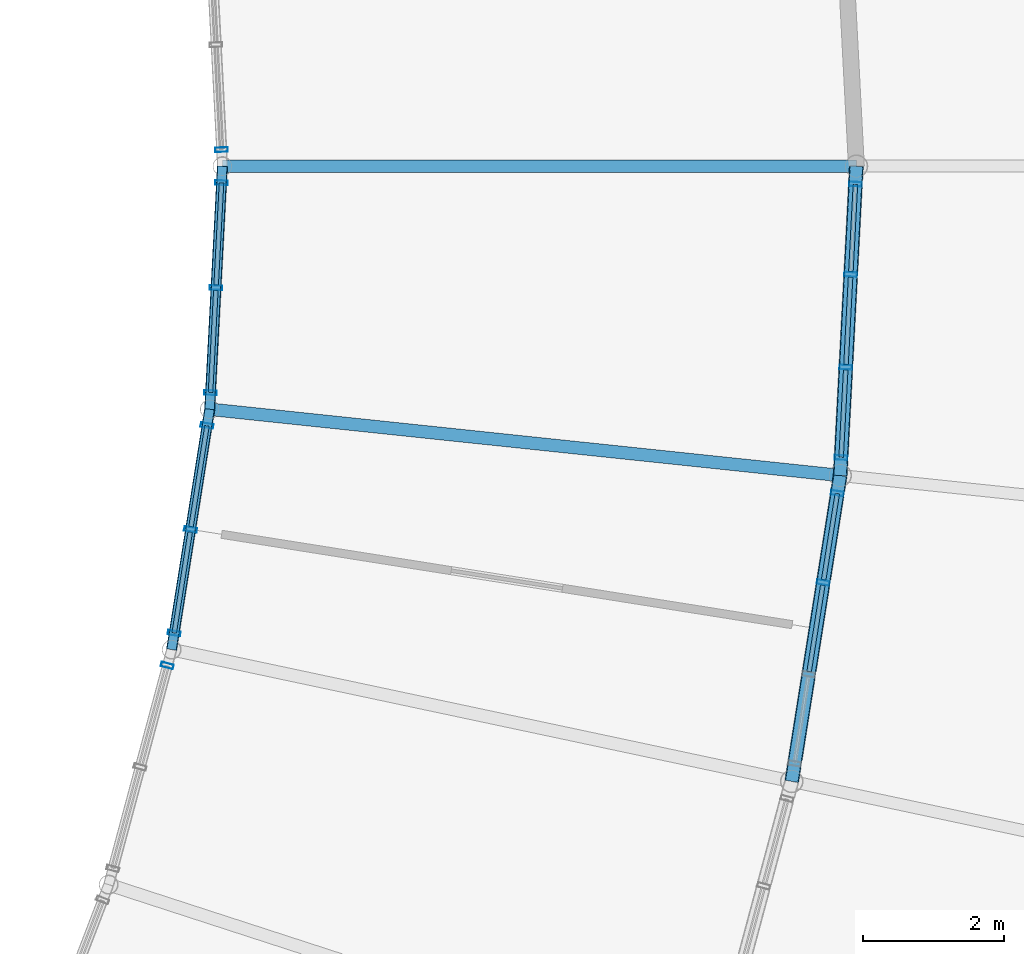
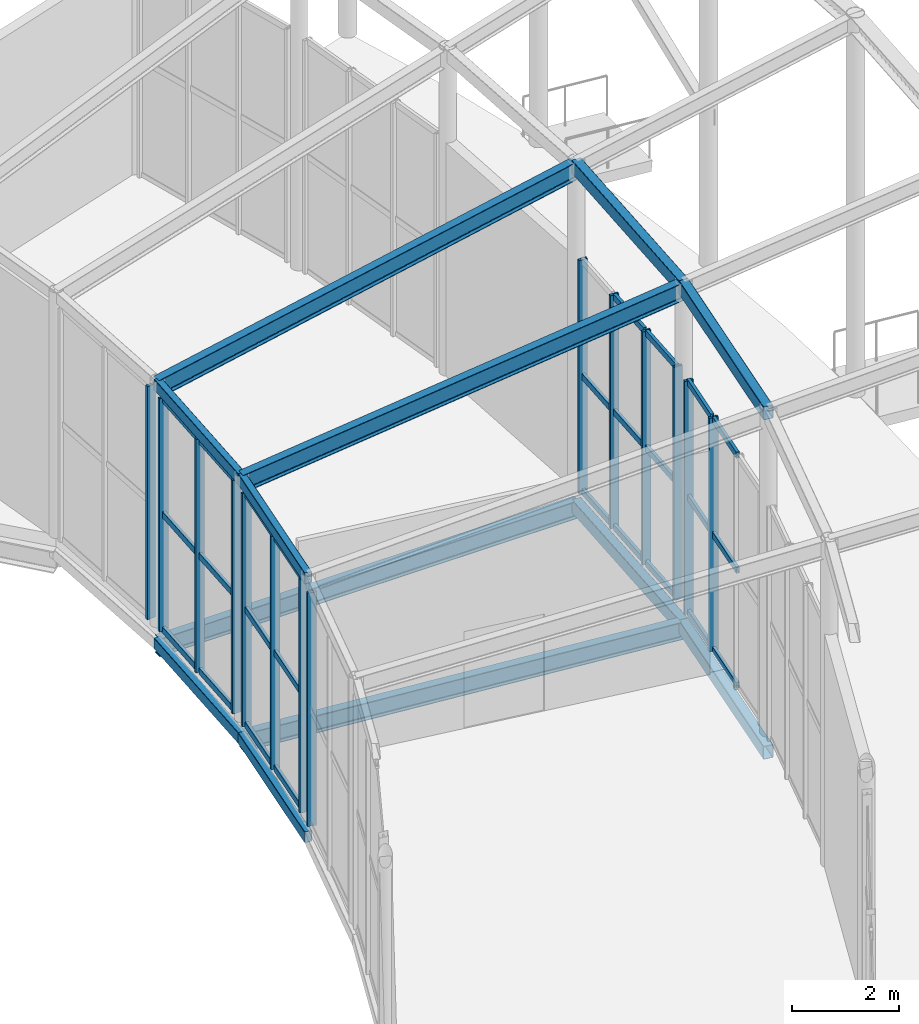
# One storey, part 92 of 158: 40 members, 12 beams, 6 elements without a shape of their own.
"""IFC4 building model written with IfcOpenShell, lengths in metres."""

from ifc_helpers import new_model, si_unit, derived_unit, direction, frame, origin, origin_2d, place, context, subcontext, project, spatial, hollow_rectangle, i_section, extrude, material, material_profile, profile_set, type_object, element, aggregate, save


model = new_model("IFC4")

# Units and contexts
model_context = context("Model", 3, precision=1e-05, world=origin(), true_north=direction((0.0, 1.0)))
body_context = subcontext(model_context, "Body", "Model", "MODEL_VIEW")
ifc_project = project(units=[si_unit("LENGTHUNIT", "METRE"), si_unit("AREAUNIT", "SQUARE_METRE"), si_unit("VOLUMEUNIT", "CUBIC_METRE"), si_unit("PLANEANGLEUNIT", "RADIAN"), si_unit("MASSUNIT", "GRAM", prefix="KILO"), si_unit("THERMODYNAMICTEMPERATUREUNIT", "KELVIN"), si_unit("TIMEUNIT", "SECOND"), derived_unit("THERMALTRANSMITTANCEUNIT", [(si_unit("MASSUNIT", "GRAM", prefix="KILO"), 1), (si_unit("THERMODYNAMICTEMPERATUREUNIT", "KELVIN"), -1), (si_unit("TIMEUNIT", "SECOND"), -3)])], contexts=[model_context])

# Site, building, storey
site_placement = place(None, origin())
site = spatial("IfcSite", under=ifc_project, at=site_placement, CompositionType="ELEMENT")
building_placement = place(site_placement, origin())
building = spatial("IfcBuilding", under=site, at=building_placement, Name="Cambertide Market Hall", CompositionType="ELEMENT")
storey_placement = place(building_placement, origin())
storey = spatial("IfcBuildingStorey", under=building, at=storey_placement, Name="L01", CompositionType="ELEMENT", Elevation=0.0)

# Curtain wall, member
ifc_material_1 = material(Name="Marine Anodized Aluminium 6063-T6 AA25", Category="aluminium")
curtain_wall_type_1 = type_object("IfcCurtainWallType", Name="Promenade Crescent Inner Glazed Wall", PredefinedType="USERDEFINED", material=ifc_material_1)
curtain_wall_1_placement = place(storey_placement, origin())
curtain_wall_1 = element("IfcCurtainWall", 1, at=curtain_wall_1_placement, inside=storey, type_object=curtain_wall_type_1, Name="Level 1 Curtain Wall CW-V5I-L01-4", ObjectType="UNITIZED CURTAIN WALL", PredefinedType="USERDEFINED")
ifc_material_2 = material(Name="Champagne Marine Anodized Aluminium 6063-T6 AA25", Category="aluminium")
ifc_material_profile_1 = material_profile(ifc_material_2, hollow_rectangle(XDim=0.06494140625, YDim=0.179931640625, WallThickness=0.00390625, at=origin_2d()), Name="ALU MULLION 65x180")
ifc_profile_set_1 = profile_set([ifc_material_profile_1], Name="Champagne Marine Anodized Aluminium 6063-T6 AA25")
member_type_1 = type_object("IfcMemberType", Name="Curtain Wall Mullion ALU MULLION 65x180", PredefinedType="MULLION", material=ifc_profile_set_1)
member_1_placement = place(storey_placement, frame((176.218017578125, 58.911865234375, 0.0), z_axis=(0.0, 0.0, 1.0), x_axis=(0.25881910404, 0.965925810497, 0.0)))
member_1 = element("IfcMember", 2, at=member_1_placement, type_object=member_type_1, Name="CW-V5I-L01-4 Mullion 3", PredefinedType="MULLION", context=body_context, shape_type="SweptSolid", body=[
    extrude(hollow_rectangle(XDim=0.06494140625, YDim=0.179931640625, WallThickness=0.00390625, at=origin_2d()), origin(), (0.0, 0.0, 1.0), 5.300048828125),
])
aggregate(curtain_wall_1, [member_1])

# Curtain wall, members
ifc_material_3 = material(Name="Marine Anodized Aluminium 6063-T6 AA25", Category="aluminium")
curtain_wall_type_2 = type_object("IfcCurtainWallType", Name="Promenade Crescent Outer Glazed Wall", PredefinedType="USERDEFINED", material=ifc_material_3)
curtain_wall_2_placement = place(storey_placement, origin())
curtain_wall_2 = element("IfcCurtainWall", 3, at=curtain_wall_2_placement, inside=storey, type_object=curtain_wall_type_2, Name="Level 1 Curtain Wall CW-V5M-L01-5", ObjectType="UNITIZED CURTAIN WALL", PredefinedType="USERDEFINED")
member_2_placement = place(storey_placement, frame((185.72998046875, 61.35791015625, 0.0), z_axis=(0.0, 0.0, 1.0), x_axis=(-0.156434588243, -0.987688321082, 0.0)))
member_2 = element("IfcMember", 4, at=member_2_placement, type_object=member_type_1, Name="CW-V5M-L01-5 Mullion 1", PredefinedType="MULLION", context=body_context, shape_type="SweptSolid", body=[
    extrude(hollow_rectangle(XDim=0.06494140625, YDim=0.179931640625, WallThickness=0.00390625, at=origin_2d()), origin(), (0.0, 0.0, 1.0), 5.300048828125),
])
member_3_placement = place(storey_placement, frame((185.529296875, 60.090087890625, 0.0), z_axis=(0.0, 0.0, 1.0), x_axis=(-0.156434588243, -0.987688321082, 0.0)))
member_3 = element("IfcMember", 5, at=member_3_placement, type_object=member_type_1, Name="CW-V5M-L01-5 Mullion 2", PredefinedType="MULLION", context=body_context, shape_type="SweptSolid", body=[
    extrude(hollow_rectangle(XDim=0.06494140625, YDim=0.179931640625, WallThickness=0.00390625, at=origin_2d()), origin(), (0.0, 0.0, 1.0), 5.300048828125),
])

curtain_wall_3_placement = place(storey_placement, origin())
curtain_wall_3 = element("IfcCurtainWall", 6, at=curtain_wall_3_placement, inside=storey, type_object=curtain_wall_type_1, Name="Level 1 Curtain Wall CW-V5I-L01-5", ObjectType="UNITIZED CURTAIN WALL", PredefinedType="USERDEFINED")
member_4_placement = place(storey_placement, frame((176.315673828125, 59.37109375, 0.0), z_axis=(0.0, 0.0, 1.0), x_axis=(0.156434521324, 0.987688331681, 0.0)))
member_4 = element("IfcMember", 7, at=member_4_placement, type_object=member_type_1, Name="CW-V5I-L01-5 Mullion 1", PredefinedType="MULLION", context=body_context, shape_type="SweptSolid", body=[
    extrude(hollow_rectangle(XDim=0.06494140625, YDim=0.179931640625, WallThickness=0.00390625, at=origin_2d()), origin(), (0.0, 0.0, 1.0), 5.300048828125),
])
member_5_placement = place(storey_placement, frame((176.549072265625, 60.8447265625, 0.0), z_axis=(0.0, 0.0, 1.0), x_axis=(0.156434521324, 0.987688331681, 0.0)))
member_5 = element("IfcMember", 8, at=member_5_placement, type_object=member_type_1, Name="CW-V5I-L01-5 Mullion 2", PredefinedType="MULLION", context=body_context, shape_type="SweptSolid", body=[
    extrude(hollow_rectangle(XDim=0.06494140625, YDim=0.179931640625, WallThickness=0.00390625, at=origin_2d()), origin(), (0.0, 0.0, 1.0), 5.300048828125),
])
member_6_placement = place(storey_placement, frame((176.782470703125, 62.318359375, 0.0), z_axis=(0.0, 0.0, 1.0), x_axis=(0.156434521324, 0.987688331681, 0.0)))
member_6 = element("IfcMember", 9, at=member_6_placement, type_object=member_type_1, Name="CW-V5I-L01-5 Mullion 3", PredefinedType="MULLION", context=body_context, shape_type="SweptSolid", body=[
    extrude(hollow_rectangle(XDim=0.06494140625, YDim=0.179931640625, WallThickness=0.00390625, at=origin_2d()), origin(), (0.0, 0.0, 1.0), 5.300048828125),
])

curtain_wall_4_placement = place(storey_placement, origin())
curtain_wall_4 = element("IfcCurtainWall", 10, at=curtain_wall_4_placement, inside=storey, type_object=curtain_wall_type_2, Name="Level 1 Curtain Wall CW-V5M-L01-6", ObjectType="UNITIZED CURTAIN WALL", PredefinedType="USERDEFINED")
member_7_placement = place(storey_placement, frame((185.986572265625, 65.745361328125, 0.0), z_axis=(0.0, 0.0, 1.0), x_axis=(-0.052335872181, -0.99862953916, 0.0)))
member_7 = element("IfcMember", 11, at=member_7_placement, type_object=member_type_1, Name="CW-V5M-L01-6 Mullion 1", PredefinedType="MULLION", context=body_context, shape_type="SweptSolid", body=[
    extrude(hollow_rectangle(XDim=0.06494140625, YDim=0.179931640625, WallThickness=0.00390625, at=origin_2d()), origin(), (0.0, 0.0, 1.0), 5.300048828125),
])
member_8_placement = place(storey_placement, frame((185.91943359375, 64.46337890625, 0.0), z_axis=(0.0, 0.0, 1.0), x_axis=(-0.052335872181, -0.99862953916, 0.0)))
member_8 = element("IfcMember", 12, at=member_8_placement, type_object=member_type_1, Name="CW-V5M-L01-6 Mullion 2", PredefinedType="MULLION", context=body_context, shape_type="SweptSolid", body=[
    extrude(hollow_rectangle(XDim=0.06494140625, YDim=0.179931640625, WallThickness=0.00390625, at=origin_2d()), origin(), (0.0, 0.0, 1.0), 5.300048828125),
])
member_9_placement = place(storey_placement, frame((185.850341796875, 63.146484375, 0.0), z_axis=(0.0, 0.0, 1.0), x_axis=(-0.052335872181, -0.99862953916, 0.0)))
member_9 = element("IfcMember", 13, at=member_9_placement, type_object=member_type_1, Name="CW-V5M-L01-6 Mullion 3", PredefinedType="MULLION", context=body_context, shape_type="SweptSolid", body=[
    extrude(hollow_rectangle(XDim=0.06494140625, YDim=0.179931640625, WallThickness=0.00390625, at=origin_2d()), origin(), (0.0, 0.0, 1.0), 5.300048828125),
])
member_10_placement = place(storey_placement, frame((185.783203125, 61.864501953125, 0.0), z_axis=(0.0, 0.0, 1.0), x_axis=(-0.052335872181, -0.99862953916, 0.0)))
member_10 = element("IfcMember", 14, at=member_10_placement, type_object=member_type_1, Name="CW-V5M-L01-6 Mullion 4", PredefinedType="MULLION", context=body_context, shape_type="SweptSolid", body=[
    extrude(hollow_rectangle(XDim=0.06494140625, YDim=0.179931640625, WallThickness=0.00390625, at=origin_2d()), origin(), (0.0, 0.0, 1.0), 5.300048828125),
])

curtain_wall_5_placement = place(storey_placement, origin())
curtain_wall_5 = element("IfcCurtainWall", 15, at=curtain_wall_5_placement, inside=storey, type_object=curtain_wall_type_1, Name="Level 1 Curtain Wall CW-V5I-L01-6", ObjectType="UNITIZED CURTAIN WALL", PredefinedType="USERDEFINED")
member_11_placement = place(storey_placement, frame((176.83154296875, 62.78515625, 0.0), z_axis=(0.0, 0.0, 1.0), x_axis=(0.052335829863, 0.998629541378, 0.0)))
member_11 = element("IfcMember", 16, at=member_11_placement, type_object=member_type_1, Name="CW-V5I-L01-6 Mullion 1", PredefinedType="MULLION", context=body_context, shape_type="SweptSolid", body=[
    extrude(hollow_rectangle(XDim=0.06494140625, YDim=0.179931640625, WallThickness=0.00390625, at=origin_2d()), origin(), (0.0, 0.0, 1.0), 5.300048828125),
])
member_12_placement = place(storey_placement, frame((176.90966796875, 64.275390625, 0.0), z_axis=(0.0, 0.0, 1.0), x_axis=(0.052335829863, 0.998629541378, 0.0)))
member_12 = element("IfcMember", 17, at=member_12_placement, type_object=member_type_1, Name="CW-V5I-L01-6 Mullion 2", PredefinedType="MULLION", context=body_context, shape_type="SweptSolid", body=[
    extrude(hollow_rectangle(XDim=0.06494140625, YDim=0.179931640625, WallThickness=0.00390625, at=origin_2d()), origin(), (0.0, 0.0, 1.0), 5.300048828125),
])
member_13_placement = place(storey_placement, frame((176.98779296875, 65.765380859375, 0.0), z_axis=(0.0, 0.0, 1.0), x_axis=(0.052335829863, 0.998629541378, 0.0)))
member_13 = element("IfcMember", 18, at=member_13_placement, type_object=member_type_1, Name="CW-V5I-L01-6 Mullion 3", PredefinedType="MULLION", context=body_context, shape_type="SweptSolid", body=[
    extrude(hollow_rectangle(XDim=0.06494140625, YDim=0.179931640625, WallThickness=0.00390625, at=origin_2d()), origin(), (0.0, 0.0, 1.0), 5.300048828125),
])

# Curtain wall, member
curtain_wall_6_placement = place(storey_placement, origin())
curtain_wall_6 = element("IfcCurtainWall", 19, at=curtain_wall_6_placement, inside=storey, type_object=curtain_wall_type_1, Name="Level 1 Curtain Wall CW-V5I-L01-7", ObjectType="UNITIZED CURTAIN WALL", PredefinedType="USERDEFINED")
member_14_placement = place(storey_placement, frame((176.98779296875, 66.234619140625, 0.0), z_axis=(0.0, 0.0, 1.0), x_axis=(-0.052335829863, 0.998629541378, 0.0)))
member_14 = element("IfcMember", 20, at=member_14_placement, type_object=member_type_1, Name="CW-V5I-L01-7 Mullion 1", PredefinedType="MULLION", context=body_context, shape_type="SweptSolid", body=[
    extrude(hollow_rectangle(XDim=0.06494140625, YDim=0.179931640625, WallThickness=0.00390625, at=origin_2d()), origin(), (0.0, 0.0, 1.0), 5.300048828125),
])
aggregate(curtain_wall_6, [member_14])

# Member
ifc_material_4 = material(Name="Champagne Marine Anodized Aluminium 6063-T6 AA25", Category="aluminium")
ifc_material_profile_2 = material_profile(ifc_material_4, hollow_rectangle(XDim=0.06494140625, YDim=0.139892578125, WallThickness=0.00341796875, at=origin_2d()), Name="ALU TRANSOM 65x140")
ifc_profile_set_2 = profile_set([ifc_material_profile_2], Name="Champagne Marine Anodized Aluminium 6063-T6 AA25")
member_type_2 = type_object("IfcMemberType", Name="Curtain Wall Transom ALU TRANSOM 65x140", PredefinedType="USERDEFINED", material=ifc_profile_set_2)
member_15_placement = place(storey_placement, frame((185.729248046875, 61.35302734375, 0.034912109375), z_axis=(-0.156498987537, -0.987678119075, 0.0), x_axis=(0.987678119075, -0.156498987537, 0.0)))
member_15 = element("IfcMember", 21, at=member_15_placement, type_object=member_type_2, Name="CW-V5M-L01-5 Transom 1-1", ObjectType="TRANSOM", PredefinedType="USERDEFINED", context=body_context, shape_type="SweptSolid", body=[
    extrude(hollow_rectangle(XDim=0.06494140625, YDim=0.139892578125, WallThickness=0.00341796875, at=origin_2d()), origin(), (0.0, 0.0, 1.0), 1.23876953125),
])

member_16_placement = place(storey_placement, frame((185.52294921875, 60.050537109375, 0.034912109375), z_axis=(-0.156468527213, -0.987682945075, 0.0), x_axis=(0.987682945075, -0.156468527213, 0.0)))
member_16 = element("IfcMember", 22, at=member_16_placement, type_object=member_type_2, Name="CW-V5M-L01-5 Transom 1-2", ObjectType="TRANSOM", PredefinedType="USERDEFINED", context=body_context, shape_type="SweptSolid", body=[
    extrude(hollow_rectangle(XDim=0.06494140625, YDim=0.139892578125, WallThickness=0.00341796875, at=origin_2d()), origin(), (0.0, 0.0, 1.0), 1.239013671875),
])

member_17_placement = place(storey_placement, frame((185.729248046875, 61.35302734375, 2.64990234375), z_axis=(-0.156498987537, -0.987678119075, 0.0), x_axis=(0.987678119075, -0.156498987537, 0.0)))
member_17 = element("IfcMember", 23, at=member_17_placement, type_object=member_type_2, Name="CW-V5M-L01-5 Transom 2-1", ObjectType="TRANSOM", PredefinedType="USERDEFINED", context=body_context, shape_type="SweptSolid", body=[
    extrude(hollow_rectangle(XDim=0.06494140625, YDim=0.139892578125, WallThickness=0.00341796875, at=origin_2d()), origin(), (0.0, 0.0, 1.0), 1.23876953125),
])

member_18_placement = place(storey_placement, frame((185.52294921875, 60.050537109375, 2.64990234375), z_axis=(-0.156468527213, -0.987682945075, 0.0), x_axis=(0.987682945075, -0.156468527213, 0.0)))
member_18 = element("IfcMember", 24, at=member_18_placement, type_object=member_type_2, Name="CW-V5M-L01-5 Transom 2-2", ObjectType="TRANSOM", PredefinedType="USERDEFINED", context=body_context, shape_type="SweptSolid", body=[
    extrude(hollow_rectangle(XDim=0.06494140625, YDim=0.139892578125, WallThickness=0.00341796875, at=origin_2d()), origin(), (0.0, 0.0, 1.0), 1.239013671875),
])

member_19_placement = place(storey_placement, frame((185.729248046875, 61.35302734375, 5.264892578125), z_axis=(-0.156498987537, -0.987678119075, 0.0), x_axis=(0.987678119075, -0.156498987537, 0.0)))
member_19 = element("IfcMember", 25, at=member_19_placement, type_object=member_type_2, Name="CW-V5M-L01-5 Transom 3-1", ObjectType="TRANSOM", PredefinedType="USERDEFINED", context=body_context, shape_type="SweptSolid", body=[
    extrude(hollow_rectangle(XDim=0.06494140625, YDim=0.139892578125, WallThickness=0.00341796875, at=origin_2d()), origin(), (0.0, 0.0, 1.0), 1.23876953125),
])

member_20_placement = place(storey_placement, frame((185.52294921875, 60.050537109375, 5.264892578125), z_axis=(-0.156468527213, -0.987682945075, 0.0), x_axis=(0.987682945075, -0.156468527213, 0.0)))
member_20 = element("IfcMember", 26, at=member_20_placement, type_object=member_type_2, Name="CW-V5M-L01-5 Transom 3-2", ObjectType="TRANSOM", PredefinedType="USERDEFINED", context=body_context, shape_type="SweptSolid", body=[
    extrude(hollow_rectangle(XDim=0.06494140625, YDim=0.139892578125, WallThickness=0.00341796875, at=origin_2d()), origin(), (0.0, 0.0, 1.0), 1.239013671875),
])

aggregate(curtain_wall_2, [member_2, member_3, member_15, member_16, member_17, member_18, member_19, member_20])

member_21_placement = place(storey_placement, frame((176.31640625, 59.3759765625, 0.034912109375), z_axis=(0.15640442465, 0.987693098057, 0.0), x_axis=(-0.987693098057, 0.15640442465, 0.0)))
member_21 = element("IfcMember", 27, at=member_21_placement, type_object=member_type_2, Name="CW-V5I-L01-5 Transom 1-1", ObjectType="TRANSOM", PredefinedType="USERDEFINED", context=body_context, shape_type="SweptSolid", body=[
    extrude(hollow_rectangle(XDim=0.06494140625, YDim=0.139892578125, WallThickness=0.00341796875, at=origin_2d()), origin(), (0.0, 0.0, 1.0), 1.447021484375),
])

member_22_placement = place(storey_placement, frame((176.555419921875, 60.88427734375, 0.034912109375), z_axis=(0.15640442465, 0.987693098057, 0.0), x_axis=(-0.987693098057, 0.15640442465, 0.0)))
member_22 = element("IfcMember", 28, at=member_22_placement, type_object=member_type_2, Name="CW-V5I-L01-5 Transom 1-2", ObjectType="TRANSOM", PredefinedType="USERDEFINED", context=body_context, shape_type="SweptSolid", body=[
    extrude(hollow_rectangle(XDim=0.06494140625, YDim=0.139892578125, WallThickness=0.00341796875, at=origin_2d()), origin(), (0.0, 0.0, 1.0), 1.447021484375),
])

member_23_placement = place(storey_placement, frame((176.31640625, 59.3759765625, 2.64990234375), z_axis=(0.15640442465, 0.987693098057, 0.0), x_axis=(-0.987693098057, 0.15640442465, 0.0)))
member_23 = element("IfcMember", 29, at=member_23_placement, type_object=member_type_2, Name="CW-V5I-L01-5 Transom 2-1", ObjectType="TRANSOM", PredefinedType="USERDEFINED", context=body_context, shape_type="SweptSolid", body=[
    extrude(hollow_rectangle(XDim=0.06494140625, YDim=0.139892578125, WallThickness=0.00341796875, at=origin_2d()), origin(), (0.0, 0.0, 1.0), 1.447021484375),
])

member_24_placement = place(storey_placement, frame((176.555419921875, 60.88427734375, 2.64990234375), z_axis=(0.15640442465, 0.987693098057, 0.0), x_axis=(-0.987693098057, 0.15640442465, 0.0)))
member_24 = element("IfcMember", 30, at=member_24_placement, type_object=member_type_2, Name="CW-V5I-L01-5 Transom 2-2", ObjectType="TRANSOM", PredefinedType="USERDEFINED", context=body_context, shape_type="SweptSolid", body=[
    extrude(hollow_rectangle(XDim=0.06494140625, YDim=0.139892578125, WallThickness=0.00341796875, at=origin_2d()), origin(), (0.0, 0.0, 1.0), 1.447021484375),
])

member_25_placement = place(storey_placement, frame((176.31640625, 59.3759765625, 5.264892578125), z_axis=(0.15640442465, 0.987693098057, 0.0), x_axis=(-0.987693098057, 0.15640442465, 0.0)))
member_25 = element("IfcMember", 31, at=member_25_placement, type_object=member_type_2, Name="CW-V5I-L01-5 Transom 3-1", ObjectType="TRANSOM", PredefinedType="USERDEFINED", context=body_context, shape_type="SweptSolid", body=[
    extrude(hollow_rectangle(XDim=0.06494140625, YDim=0.139892578125, WallThickness=0.00341796875, at=origin_2d()), origin(), (0.0, 0.0, 1.0), 1.447021484375),
])

member_26_placement = place(storey_placement, frame((176.555419921875, 60.88427734375, 5.264892578125), z_axis=(0.15640442465, 0.987693098057, 0.0), x_axis=(-0.987693098057, 0.15640442465, 0.0)))
member_26 = element("IfcMember", 32, at=member_26_placement, type_object=member_type_2, Name="CW-V5I-L01-5 Transom 3-2", ObjectType="TRANSOM", PredefinedType="USERDEFINED", context=body_context, shape_type="SweptSolid", body=[
    extrude(hollow_rectangle(XDim=0.06494140625, YDim=0.139892578125, WallThickness=0.00341796875, at=origin_2d()), origin(), (0.0, 0.0, 1.0), 1.447021484375),
])

aggregate(curtain_wall_3, [member_4, member_5, member_6, member_21, member_22, member_23, member_24, member_25, member_26])

member_27_placement = place(storey_placement, frame((185.986328125, 65.740234375, 0.034912109375), z_axis=(-0.052238094069, -0.998634658686, 0.0), x_axis=(0.998634658686, -0.052238094069, 0.0)))
member_27 = element("IfcMember", 33, at=member_27_placement, type_object=member_type_2, Name="CW-V5M-L01-6 Transom 1-1", ObjectType="TRANSOM", PredefinedType="USERDEFINED", context=body_context, shape_type="SweptSolid", body=[
    extrude(hollow_rectangle(XDim=0.06494140625, YDim=0.139892578125, WallThickness=0.00341796875, at=origin_2d()), origin(), (0.0, 0.0, 1.0), 1.238525390625),
])

member_28_placement = place(storey_placement, frame((185.91748046875, 64.42333984375, 0.034912109375), z_axis=(-0.052424358168, -0.998624897882, 0.0), x_axis=(0.998624897882, -0.052424358168, 0.0)))
member_28 = element("IfcMember", 34, at=member_28_placement, type_object=member_type_2, Name="CW-V5M-L01-6 Transom 1-2", ObjectType="TRANSOM", PredefinedType="USERDEFINED", context=body_context, shape_type="SweptSolid", body=[
    extrude(hollow_rectangle(XDim=0.06494140625, YDim=0.139892578125, WallThickness=0.00341796875, at=origin_2d()), origin(), (0.0, 0.0, 1.0), 1.23876953125),
])

member_29_placement = place(storey_placement, frame((185.848388671875, 63.1064453125, 0.034912109375), z_axis=(-0.052424358168, -0.998624897882, 0.0), x_axis=(0.998624897882, -0.052424358168, 0.0)))
member_29 = element("IfcMember", 35, at=member_29_placement, type_object=member_type_2, Name="CW-V5M-L01-6 Transom 1-3", ObjectType="TRANSOM", PredefinedType="USERDEFINED", context=body_context, shape_type="SweptSolid", body=[
    extrude(hollow_rectangle(XDim=0.06494140625, YDim=0.139892578125, WallThickness=0.00341796875, at=origin_2d()), origin(), (0.0, 0.0, 1.0), 1.23876953125),
])

member_30_placement = place(storey_placement, frame((185.986328125, 65.740234375, 2.64990234375), z_axis=(-0.052238094069, -0.998634658686, 0.0), x_axis=(0.998634658686, -0.052238094069, 0.0)))
member_30 = element("IfcMember", 36, at=member_30_placement, type_object=member_type_2, Name="CW-V5M-L01-6 Transom 2-1", ObjectType="TRANSOM", PredefinedType="USERDEFINED", context=body_context, shape_type="SweptSolid", body=[
    extrude(hollow_rectangle(XDim=0.06494140625, YDim=0.139892578125, WallThickness=0.00341796875, at=origin_2d()), origin(), (0.0, 0.0, 1.0), 1.238525390625),
])

member_31_placement = place(storey_placement, frame((185.91748046875, 64.42333984375, 2.64990234375), z_axis=(-0.052424358168, -0.998624897882, 0.0), x_axis=(0.998624897882, -0.052424358168, 0.0)))
member_31 = element("IfcMember", 37, at=member_31_placement, type_object=member_type_2, Name="CW-V5M-L01-6 Transom 2-2", ObjectType="TRANSOM", PredefinedType="USERDEFINED", context=body_context, shape_type="SweptSolid", body=[
    extrude(hollow_rectangle(XDim=0.06494140625, YDim=0.139892578125, WallThickness=0.00341796875, at=origin_2d()), origin(), (0.0, 0.0, 1.0), 1.23876953125),
])

member_32_placement = place(storey_placement, frame((185.848388671875, 63.1064453125, 2.64990234375), z_axis=(-0.052424358168, -0.998624897882, 0.0), x_axis=(0.998624897882, -0.052424358168, 0.0)))
member_32 = element("IfcMember", 38, at=member_32_placement, type_object=member_type_2, Name="CW-V5M-L01-6 Transom 2-3", ObjectType="TRANSOM", PredefinedType="USERDEFINED", context=body_context, shape_type="SweptSolid", body=[
    extrude(hollow_rectangle(XDim=0.06494140625, YDim=0.139892578125, WallThickness=0.00341796875, at=origin_2d()), origin(), (0.0, 0.0, 1.0), 1.23876953125),
])

member_33_placement = place(storey_placement, frame((185.91748046875, 64.42333984375, 5.264892578125), z_axis=(-0.052424358168, -0.998624897882, 0.0), x_axis=(0.998624897882, -0.052424358168, 0.0)))
member_33 = element("IfcMember", 39, at=member_33_placement, type_object=member_type_2, Name="CW-V5M-L01-6 Transom 3-2", ObjectType="TRANSOM", PredefinedType="USERDEFINED", context=body_context, shape_type="SweptSolid", body=[
    extrude(hollow_rectangle(XDim=0.06494140625, YDim=0.139892578125, WallThickness=0.00341796875, at=origin_2d()), origin(), (0.0, 0.0, 1.0), 1.23876953125),
])

member_34_placement = place(storey_placement, frame((185.848388671875, 63.1064453125, 5.264892578125), z_axis=(-0.052424358168, -0.998624897882, 0.0), x_axis=(0.998624897882, -0.052424358168, 0.0)))
member_34 = element("IfcMember", 40, at=member_34_placement, type_object=member_type_2, Name="CW-V5M-L01-6 Transom 3-3", ObjectType="TRANSOM", PredefinedType="USERDEFINED", context=body_context, shape_type="SweptSolid", body=[
    extrude(hollow_rectangle(XDim=0.06494140625, YDim=0.139892578125, WallThickness=0.00341796875, at=origin_2d()), origin(), (0.0, 0.0, 1.0), 1.23876953125),
])

aggregate(curtain_wall_4, [member_7, member_8, member_9, member_10, member_27, member_28, member_29, member_30, member_31, member_32, member_33, member_34])

member_35_placement = place(storey_placement, frame((176.831787109375, 62.790283203125, 0.034912109375), z_axis=(0.052302028518, 0.998631312253, 0.0), x_axis=(-0.998631312253, 0.052302028518, 0.0)))
member_35 = element("IfcMember", 41, at=member_35_placement, type_object=member_type_2, Name="CW-V5I-L01-6 Transom 1-1", ObjectType="TRANSOM", PredefinedType="USERDEFINED", context=body_context, shape_type="SweptSolid", body=[
    extrude(hollow_rectangle(XDim=0.06494140625, YDim=0.139892578125, WallThickness=0.00341796875, at=origin_2d()), origin(), (0.0, 0.0, 1.0), 1.447021484375),
])

member_36_placement = place(storey_placement, frame((176.91162109375, 64.315185546875, 0.034912109375), z_axis=(0.052470280986, 0.998622486034, 0.0), x_axis=(-0.998622486034, 0.052470280986, 0.0)))
member_36 = element("IfcMember", 42, at=member_36_placement, type_object=member_type_2, Name="CW-V5I-L01-6 Transom 1-2", ObjectType="TRANSOM", PredefinedType="USERDEFINED", context=body_context, shape_type="SweptSolid", body=[
    extrude(hollow_rectangle(XDim=0.06494140625, YDim=0.139892578125, WallThickness=0.00341796875, at=origin_2d()), origin(), (0.0, 0.0, 1.0), 1.447021484375),
])

member_37_placement = place(storey_placement, frame((176.831787109375, 62.790283203125, 2.64990234375), z_axis=(0.052302028518, 0.998631312253, 0.0), x_axis=(-0.998631312253, 0.052302028518, 0.0)))
member_37 = element("IfcMember", 43, at=member_37_placement, type_object=member_type_2, Name="CW-V5I-L01-6 Transom 2-1", ObjectType="TRANSOM", PredefinedType="USERDEFINED", context=body_context, shape_type="SweptSolid", body=[
    extrude(hollow_rectangle(XDim=0.06494140625, YDim=0.139892578125, WallThickness=0.00341796875, at=origin_2d()), origin(), (0.0, 0.0, 1.0), 1.447021484375),
])

member_38_placement = place(storey_placement, frame((176.91162109375, 64.315185546875, 2.64990234375), z_axis=(0.052470280986, 0.998622486034, 0.0), x_axis=(-0.998622486034, 0.052470280986, 0.0)))
member_38 = element("IfcMember", 44, at=member_38_placement, type_object=member_type_2, Name="CW-V5I-L01-6 Transom 2-2", ObjectType="TRANSOM", PredefinedType="USERDEFINED", context=body_context, shape_type="SweptSolid", body=[
    extrude(hollow_rectangle(XDim=0.06494140625, YDim=0.139892578125, WallThickness=0.00341796875, at=origin_2d()), origin(), (0.0, 0.0, 1.0), 1.447021484375),
])

member_39_placement = place(storey_placement, frame((176.831787109375, 62.790283203125, 5.264892578125), z_axis=(0.052302028518, 0.998631312253, 0.0), x_axis=(-0.998631312253, 0.052302028518, 0.0)))
member_39 = element("IfcMember", 45, at=member_39_placement, type_object=member_type_2, Name="CW-V5I-L01-6 Transom 3-1", ObjectType="TRANSOM", PredefinedType="USERDEFINED", context=body_context, shape_type="SweptSolid", body=[
    extrude(hollow_rectangle(XDim=0.06494140625, YDim=0.139892578125, WallThickness=0.00341796875, at=origin_2d()), origin(), (0.0, 0.0, 1.0), 1.447021484375),
])

member_40_placement = place(storey_placement, frame((176.91162109375, 64.315185546875, 5.264892578125), z_axis=(0.052470280986, 0.998622486034, 0.0), x_axis=(-0.998622486034, 0.052470280986, 0.0)))
member_40 = element("IfcMember", 46, at=member_40_placement, type_object=member_type_2, Name="CW-V5I-L01-6 Transom 3-2", ObjectType="TRANSOM", PredefinedType="USERDEFINED", context=body_context, shape_type="SweptSolid", body=[
    extrude(hollow_rectangle(XDim=0.06494140625, YDim=0.139892578125, WallThickness=0.00341796875, at=origin_2d()), origin(), (0.0, 0.0, 1.0), 1.447021484375),
])

aggregate(curtain_wall_5, [member_11, member_12, member_13, member_35, member_36, member_37, member_38, member_39, member_40])

# Beams
ifc_material_5 = material(Name="Steel S355", Category="steel")
ifc_material_profile_3 = material_profile(ifc_material_5, i_section(OverallWidth=0.179931640625, OverallDepth=0.39990234375, WebThickness=0.008544921875, FlangeThickness=0.013427734375, FilletRadius=0.02099609375, at=origin_2d()), Name="IPE 400")
ifc_profile_set_3 = profile_set([ifc_material_profile_3], Name="Steel S355")
beam_type_1 = type_object("IfcBeamType", Name="Exterior Steel Girder IPE 400", PredefinedType="BEAM", material=ifc_profile_set_3)
for number, where, z_axis, x_axis, name in (
    (47, (176.8193359375, 62.550537109375, 5.3798828125), (0.974578388722, -0.102423504766, 0.199264622821), (0.104519569699, 0.99452283008, 0.0), "BM-V5R1-CAN-6"),
    (48, (177.0, 66.0, 5.3798828125), (0.979945813034, 0.0, 0.199264155124), (0.0, 1.0, 0.0), "BM-V5R1-CAN-7"),
):
    element("IfcBeam", number, at=place(storey_placement, frame(where, z_axis=z_axis, x_axis=x_axis)), inside=storey, type_object=beam_type_1, Name=name, PredefinedType="BEAM", context=body_context, shape_type="SweptSolid", body=[
        extrude(i_section(OverallWidth=0.179931640625, OverallDepth=0.39990234375, WebThickness=0.008544921875, FlangeThickness=0.013427734375, FilletRadius=0.02099609375, at=origin_2d()), origin(), (0.0, 0.0, 1.0), 9.18408203125),
    ])
ifc_material_6 = material(Name="Steel S355", Category="steel")
ifc_material_profile_4 = material_profile(ifc_material_6, hollow_rectangle(XDim=0.14990234375, YDim=0.25, WallThickness=0.008056640625, InnerFilletRadius=0.008056640625, OuterFilletRadius=0.01611328125, at=origin_2d()), Name="RHS 250x150x8")
ifc_profile_set_4 = profile_set([ifc_material_profile_4], Name="Steel S355")
beam_type_2 = type_object("IfcBeamType", Name="Exterior Steel Girder RHS 250x150x8", PredefinedType="BEAM", material=ifc_profile_set_4)
for number, where, z_axis, x_axis, name in (
    (49, (176.27880859375, 59.138916015625, 5.455078125), (0.156485200519, 0.987680303549, 0.0), (-0.987680303549, 0.156485200519, 0.0), "Level 1 Beam BM-V5C-CAN-IN-5"),
    (50, (176.8193359375, 62.550537109375, 5.455078125), (0.052302862111, 0.998631268595, 0.0), (-0.998631268595, 0.052302862111, 0.0), "Level 1 Beam BM-V5C-CAN-IN-6"),
):
    element("IfcBeam", number, at=place(storey_placement, frame(where, z_axis=z_axis, x_axis=x_axis)), inside=storey, type_object=beam_type_2, Name=name, PredefinedType="BEAM", context=body_context, shape_type="SweptSolid", body=[
        extrude(hollow_rectangle(XDim=0.14990234375, YDim=0.25, WallThickness=0.008056640625, InnerFilletRadius=0.008056640625, OuterFilletRadius=0.01611328125, at=origin_2d()), origin(), (0.0, 0.0, 1.0), 3.4541015625),
    ])
ifc_material_7 = material(Name="Steel S355", Category="steel")
ifc_material_profile_5 = material_profile(ifc_material_7, hollow_rectangle(XDim=0.199951171875, YDim=0.300048828125, WallThickness=0.010009765625, InnerFilletRadius=0.010009765625, OuterFilletRadius=0.02001953125, at=origin_2d()), Name="RHS 300x200x10")
ifc_profile_set_5 = profile_set([ifc_material_profile_5], Name="Steel S355")
beam_type_3 = type_object("IfcBeamType", Name="Exterior Steel Girder RHS 300x200x10", PredefinedType="BEAM", material=ifc_profile_set_5)
for number, where, z_axis, x_axis, name in (
    (51, (185.082275390625, 57.267822265625, 7.260009765625), (0.156441655728, 0.987687201675, 0.0), (-0.987687201675, 0.156441655728, 0.0), "Level 1 Beam BM-V5C-CAN-MID-5"),
    (52, (185.77001953125, 61.60986328125, 7.260009765625), (0.052313986548, 0.998630685895, 0.0), (-0.998630685895, 0.052313986548, 0.0), "Level 1 Beam BM-V5C-CAN-MID-6"),
):
    element("IfcBeam", number, at=place(storey_placement, frame(where, z_axis=z_axis, x_axis=x_axis)), inside=storey, type_object=beam_type_3, Name=name, PredefinedType="BEAM", context=body_context, shape_type="SweptSolid", body=[
        extrude(hollow_rectangle(XDim=0.199951171875, YDim=0.300048828125, WallThickness=0.010009765625, InnerFilletRadius=0.010009765625, OuterFilletRadius=0.02001953125, at=origin_2d()), origin(), (0.0, 0.0, 1.0), 4.396240234375),
    ])
ifc_material_8 = material(Name="Steel S355", Category="steel")
ifc_material_profile_6 = material_profile(ifc_material_8, i_section(OverallWidth=0.179931640625, OverallDepth=0.39990234375, WebThickness=0.008544921875, FlangeThickness=0.013427734375, FilletRadius=0.02099609375, at=origin_2d()), Name="IPE 400")
ifc_profile_set_6 = profile_set([ifc_material_profile_6], Name="Steel S355")
beam_type_4 = type_object("IfcBeamType", Name="Steel Girder IPE 400", PredefinedType="BEAM", material=ifc_profile_set_6)
for number, where, z_axis, x_axis, name in (
    (53, (176.8193359375, 62.550537109375, -0.5), (0.99452283008, -0.104519569699, 0.0), (0.104519569699, 0.99452283008, 0.0), "Level 1 Beam BM-V5R1-FLR-6"),
    (54, (177.0, 66.0, -0.5), (1.0, 0.0, 0.0), (0.0, 1.0, 0.0), "Level 1 Beam BM-V5R1-FLR-7"),
):
    element("IfcBeam", number, at=place(storey_placement, frame(where, z_axis=z_axis, x_axis=x_axis)), inside=storey, type_object=beam_type_4, Name=name, PredefinedType="BEAM", context=body_context, shape_type="SweptSolid", body=[
        extrude(i_section(OverallWidth=0.179931640625, OverallDepth=0.39990234375, WebThickness=0.008544921875, FlangeThickness=0.013427734375, FilletRadius=0.02099609375, at=origin_2d()), origin(), (0.0, 0.0, 1.0), 9.0),
    ])
ifc_material_9 = material(Name="Steel S355", Category="steel")
ifc_material_profile_7 = material_profile(ifc_material_9, hollow_rectangle(XDim=0.14990234375, YDim=0.25, WallThickness=0.008056640625, InnerFilletRadius=0.008056640625, OuterFilletRadius=0.01611328125, at=origin_2d()), Name="RHS 250x150x8")
ifc_profile_set_7 = profile_set([ifc_material_profile_7], Name="Steel S355")
beam_type_5 = type_object("IfcBeamType", Name="Steel Girder RHS 250x150x8", PredefinedType="BEAM", material=ifc_profile_set_7)
for number, where, z_axis, x_axis, name in (
    (55, (176.27880859375, 59.138916015625, -0.425048828125), (0.156485200519, 0.987680303549, 0.0), (-0.987680303549, 0.156485200519, 0.0), "Level 1 Beam BM-V5C-FLR-IN-5"),
    (56, (176.8193359375, 62.550537109375, -0.425048828125), (0.052302862111, 0.998631268595, 0.0), (-0.998631268595, 0.052302862111, 0.0), "Level 1 Beam BM-V5C-FLR-IN-6"),
):
    element("IfcBeam", number, at=place(storey_placement, frame(where, z_axis=z_axis, x_axis=x_axis)), inside=storey, type_object=beam_type_5, Name=name, PredefinedType="BEAM", context=body_context, shape_type="SweptSolid", body=[
        extrude(hollow_rectangle(XDim=0.14990234375, YDim=0.25, WallThickness=0.008056640625, InnerFilletRadius=0.008056640625, OuterFilletRadius=0.01611328125, at=origin_2d()), origin(), (0.0, 0.0, 1.0), 3.4541015625),
    ])
ifc_material_10 = material(Name="Steel S355", Category="steel")
ifc_material_profile_8 = material_profile(ifc_material_10, hollow_rectangle(XDim=0.199951171875, YDim=0.300048828125, WallThickness=0.010009765625, InnerFilletRadius=0.010009765625, OuterFilletRadius=0.02001953125, at=origin_2d()), Name="RHS 300x200x10")
ifc_profile_set_8 = profile_set([ifc_material_profile_8], Name="Steel S355")
beam_type_6 = type_object("IfcBeamType", Name="Steel Girder RHS 300x200x10", PredefinedType="BEAM", material=ifc_profile_set_8)
for number, where, z_axis, x_axis, name in (
    (57, (185.082275390625, 57.267822265625, -0.449951171875), (0.156441655728, 0.987687201675, 0.0), (-0.987687201675, 0.156441655728, 0.0), "Level 1 Beam BM-V5C-FLR-MID-5"),
    (58, (185.77001953125, 61.60986328125, -0.449951171875), (0.052313986548, 0.998630685895, 0.0), (-0.998630685895, 0.052313986548, 0.0), "Level 1 Beam BM-V5C-FLR-MID-6"),
):
    element("IfcBeam", number, at=place(storey_placement, frame(where, z_axis=z_axis, x_axis=x_axis)), inside=storey, type_object=beam_type_6, Name=name, PredefinedType="BEAM", context=body_context, shape_type="SweptSolid", body=[
        extrude(hollow_rectangle(XDim=0.199951171875, YDim=0.300048828125, WallThickness=0.010009765625, InnerFilletRadius=0.010009765625, OuterFilletRadius=0.02001953125, at=origin_2d()), origin(), (0.0, 0.0, 1.0), 4.396240234375),
    ])

save(model, "model.ifc")
